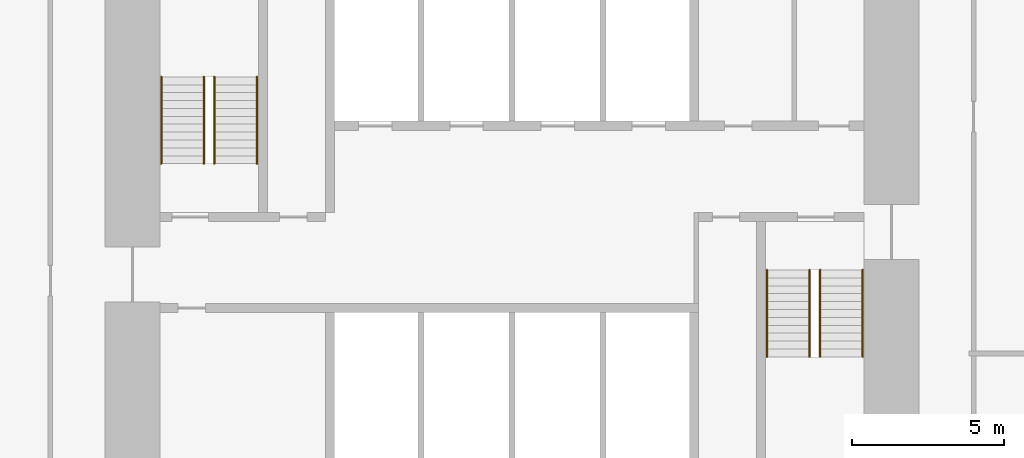
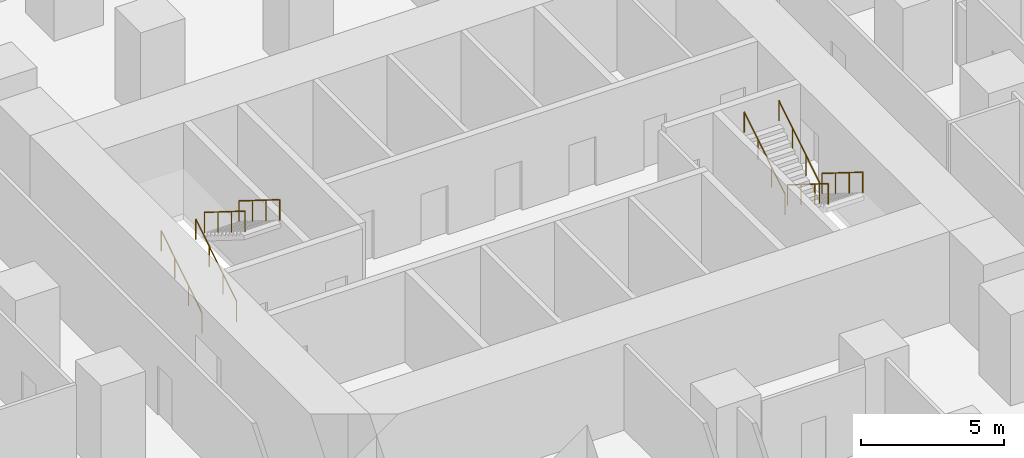
# One storey, part 12 of 12: 8 railings.
"""IFC4 building model written with IfcOpenShell, lengths in metres."""

from ifc_helpers import new_model, si_unit, direction, frame, origin, origin_2d, place, context, subcontext, project, spatial, circle, extrude, material, type_object, element, save


model = new_model("IFC4")

# Units and contexts
model_context = context("Model", 3, precision=1e-05, world=origin(), true_north=direction((0.0, 1.0)))
body_context = subcontext(model_context, "Body", "Model", "MODEL_VIEW")
ifc_project = project(units=[si_unit("LENGTHUNIT", "METRE"), si_unit("AREAUNIT", "SQUARE_METRE"), si_unit("VOLUMEUNIT", "CUBIC_METRE"), si_unit("PLANEANGLEUNIT", "RADIAN"), si_unit("MASSUNIT", "GRAM", prefix="KILO")], contexts=[model_context])

# Site, building, storey
site_placement = place(None, origin())
site = spatial("IfcSite", under=ifc_project, at=site_placement, CompositionType="ELEMENT")
building_placement = place(site_placement, origin())
building = spatial("IfcBuilding", under=site, at=building_placement, Name="Highveld Stack Headquarters", CompositionType="ELEMENT")
storey_placement = place(building_placement, frame((0.0, 0.0, 80.60009765625)))
storey = spatial("IfcBuildingStorey", under=building, at=storey_placement, Name="L19", CompositionType="ELEMENT", Elevation=80.60009765625)

# Railings
ifc_material = material(Name="Stainless steel handrail", Category="steel")
railing_type = type_object("IfcRailingType", Name="STAIR HANDRAIL HR1 900", PredefinedType="HANDRAIL", material=ifc_material)
for number, where, name in (
    (1, (-5.550048828125, 4.75, 0.162353515625), "Handrail S1 L19 flight 1"),
    (2, (-4.14990234375, 4.75, 0.162353515625), "Handrail S1 L19 flight 1"),
):
    element("IfcRailing", number, at=place(storey_placement, frame(where)), inside=storey, type_object=railing_type, Name=name, PredefinedType="HANDRAIL", context=body_context, shape_type="SweptSolid", body=[
        extrude(circle(Radius=0.02392578125, at=origin_2d()), frame((0.0, 0.0, 0.8759765625), z_axis=(0.0, 0.847994237388, 0.530005446535), x_axis=(-1.0, 0.0, 0.0)), (0.0, 0.0, 1.0), 3.372802734375),
        extrude(circle(Radius=0.02099609375, at=origin_2d()), origin(), (0.0, 0.0, 1.0), 0.851806640625),
        extrude(circle(Radius=0.02099609375, at=origin_2d()), frame((0.0, 0.953369140625, 0.595947265625)), (0.0, 0.0, 1.0), 0.851806640625),
        extrude(circle(Radius=0.02099609375, at=origin_2d()), frame((0.0, 1.90673828125, 1.191650390625)), (0.0, 0.0, 1.0), 0.851806640625),
        extrude(circle(Radius=0.02099609375, at=origin_2d()), frame((0.0, 2.860107421875, 1.78759765625)), (0.0, 0.0, 1.0), 0.851806640625),
    ])
for number, where, name in (
    (3, (-3.800048828125, 7.610107421875, 2.1123046875), "Handrail S1 L19 flight 2"),
    (4, (-2.39990234375, 7.610107421875, 2.1123046875), "Handrail S1 L19 flight 2"),
    (5, (16.14990234375, 1.25, 0.162353515625), "Handrail S2 L19 flight 1"),
    (6, (17.550048828125, 1.25, 0.162353515625), "Handrail S2 L19 flight 1"),
):
    element("IfcRailing", number, at=place(storey_placement, frame(where)), inside=storey, type_object=railing_type, Name=name, PredefinedType="HANDRAIL", context=body_context, shape_type="SweptSolid", body=[
        extrude(circle(Radius=0.02392578125, at=origin_2d()), frame((0.0, 0.0, 0.8759765625), z_axis=(0.0, -0.847994237388, 0.530005446535), x_axis=(1.0, 0.0, 0.0)), (0.0, 0.0, 1.0), 3.372802734375),
        extrude(circle(Radius=0.02099609375, at=origin_2d()), origin(), (0.0, 0.0, 1.0), 0.851806640625),
        extrude(circle(Radius=0.02099609375, at=origin_2d()), frame((0.0, -0.953369140625, 0.595947265625)), (0.0, 0.0, 1.0), 0.851806640625),
        extrude(circle(Radius=0.02099609375, at=origin_2d()), frame((0.0, -1.90673828125, 1.191650390625)), (0.0, 0.0, 1.0), 0.851806640625),
        extrude(circle(Radius=0.02099609375, at=origin_2d()), frame((0.0, -2.860107421875, 1.78759765625)), (0.0, 0.0, 1.0), 0.851806640625),
    ])
for number, where, name in (
    (7, (14.39990234375, -1.610107421875, 2.1123046875), "Handrail S2 L19 flight 2"),
    (8, (15.800048828125, -1.610107421875, 2.1123046875), "Handrail S2 L19 flight 2"),
):
    element("IfcRailing", number, at=place(storey_placement, frame(where)), inside=storey, type_object=railing_type, Name=name, PredefinedType="HANDRAIL", context=body_context, shape_type="SweptSolid", body=[
        extrude(circle(Radius=0.02392578125, at=origin_2d()), frame((0.0, 0.0, 0.8759765625), z_axis=(0.0, 0.847994237388, 0.530005446535), x_axis=(-1.0, 0.0, 0.0)), (0.0, 0.0, 1.0), 3.372802734375),
        extrude(circle(Radius=0.02099609375, at=origin_2d()), origin(), (0.0, 0.0, 1.0), 0.851806640625),
        extrude(circle(Radius=0.02099609375, at=origin_2d()), frame((0.0, 0.953369140625, 0.595947265625)), (0.0, 0.0, 1.0), 0.851806640625),
        extrude(circle(Radius=0.02099609375, at=origin_2d()), frame((0.0, 1.90673828125, 1.191650390625)), (0.0, 0.0, 1.0), 0.851806640625),
        extrude(circle(Radius=0.02099609375, at=origin_2d()), frame((0.0, 2.860107421875, 1.78759765625)), (0.0, 0.0, 1.0), 0.851806640625),
    ])

save(model, "model.ifc")
